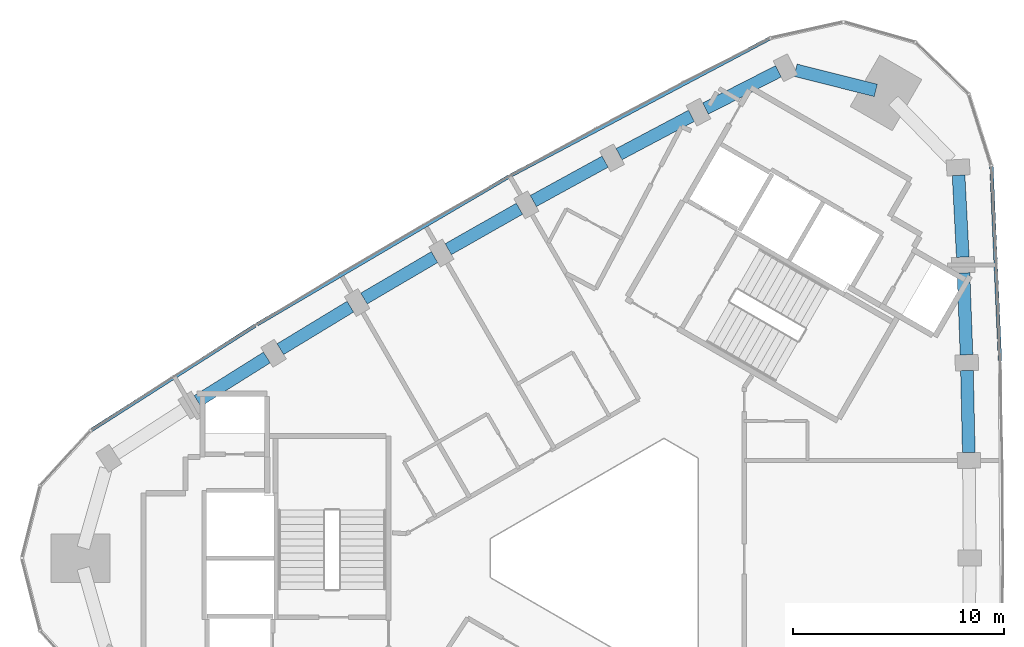
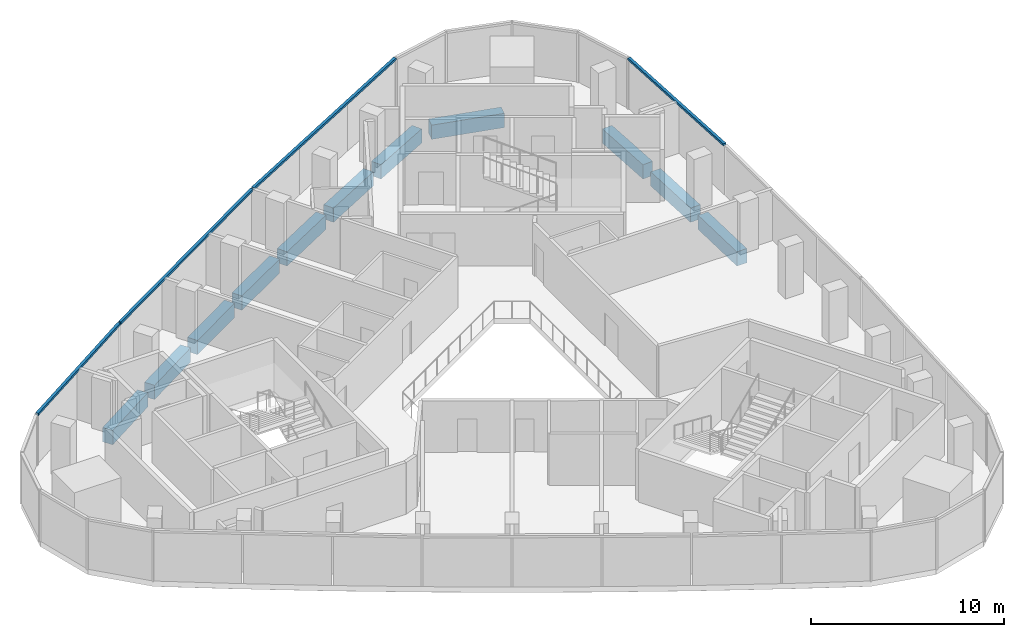
# One storey, part 4 of 11: 11 beams, 4 members, 2 elements without a shape of their own.
"""IFC4 building model written with IfcOpenShell, lengths in metres."""

from ifc_helpers import new_model, si_unit, direction, frame, origin, origin_2d, place, context, subcontext, project, spatial, rectangle, extrude, material, material_profile, profile_set, type_object, element, aggregate, save


model = new_model("IFC4")

# Units and contexts
model_context = context("Model", 3, precision=1e-05, world=origin(), true_north=direction((0.0, 1.0)))
body_context = subcontext(model_context, "Body", "Model", "MODEL_VIEW")
ifc_project = project(units=[si_unit("LENGTHUNIT", "METRE"), si_unit("AREAUNIT", "SQUARE_METRE"), si_unit("VOLUMEUNIT", "CUBIC_METRE"), si_unit("PLANEANGLEUNIT", "RADIAN"), si_unit("MASSUNIT", "GRAM", prefix="KILO")], contexts=[model_context])

# Site, building, storey
site_placement = place(None, origin())
site = spatial("IfcSite", under=ifc_project, at=site_placement, CompositionType="ELEMENT")
building_placement = place(site_placement, origin())
building = spatial("IfcBuilding", under=site, at=building_placement, Name="Tamra Quay Hotel Tower", CompositionType="ELEMENT")
storey_placement = place(building_placement, frame((0.0, 0.0, 225.0)))
storey = spatial("IfcBuildingStorey", under=building, at=storey_placement, Name="L56", CompositionType="ELEMENT", Elevation=225.0)

# Beams
ifc_material_1 = material(Name="Concrete M60", Category="concrete")
ifc_material_profile_1 = material_profile(ifc_material_1, rectangle(XDim=0.60009765625, YDim=0.89990234375, at=origin_2d()), Name="SPANDREL BEAM RC 600x900")
ifc_profile_set_1 = profile_set([ifc_material_profile_1], Name="Concrete M60")
beam_type = type_object("IfcBeamType", Name="SPANDREL BEAM RC 600x900", PredefinedType="SPANDREL", material=ifc_profile_set_1)
beam_1_placement = place(storey_placement, frame((16.626953125, 5.0, -0.800048828125), z_axis=(-0.022047440235, 0.999756925647, 0.0), x_axis=(-0.999756925647, -0.022047440235, 0.0)))
element("IfcBeam", 1, at=beam_1_placement, inside=storey, type_object=beam_type, Name="BM-SP5-005-L56", PredefinedType="SPANDREL", context=body_context, shape_type="SweptSolid", body=[
    extrude(rectangle(XDim=0.60009765625, YDim=0.89990234375, at=origin_2d()), origin(), (0.0, 0.0, 1.0), 3.875732421875),
])
beam_2_placement = place(storey_placement, frame((16.51953125, 9.62451171875, -0.800048828125), z_axis=(-0.036732019634, 0.999325151657, 0.0), x_axis=(-0.999325151657, -0.036732019634, 0.0)))
element("IfcBeam", 2, at=beam_2_placement, inside=storey, type_object=beam_type, Name="BM-SP5-006-L56", PredefinedType="SPANDREL", context=body_context, shape_type="SweptSolid", body=[
    extrude(rectangle(XDim=0.60009765625, YDim=0.89990234375, at=origin_2d()), origin(), (0.0, 0.0, 1.0), 3.875),
])
beam_3_placement = place(storey_placement, frame((16.343994140625, 14.24609375, -0.800048828125), z_axis=(-0.051404854824, 0.998677896471, 0.0), x_axis=(-0.998677896471, -0.051404854824, 0.0)))
element("IfcBeam", 3, at=beam_3_placement, inside=storey, type_object=beam_type, Name="BM-SP5-007-L56", PredefinedType="SPANDREL", context=body_context, shape_type="SweptSolid", body=[
    extrude(rectangle(XDim=0.60009765625, YDim=0.89990234375, at=origin_2d()), origin(), (0.0, 0.0, 1.0), 3.87548828125),
])
beam_4_placement = place(storey_placement, frame((12.225830078125, 22.136474609375, -0.800048828125), z_axis=(-0.969848171666, 0.243709917558, 0.0), x_axis=(-0.243709917558, -0.969848171666, 0.0)))
element("IfcBeam", 4, at=beam_4_placement, inside=storey, type_object=beam_type, Name="BM-SP5-009-L56", PredefinedType="SPANDREL", context=body_context, shape_type="SweptSolid", body=[
    extrude(rectangle(XDim=0.60009765625, YDim=0.89990234375, at=origin_2d()), origin(), (0.0, 0.0, 1.0), 3.912841796875),
])
beam_5_placement = place(storey_placement, frame((7.616943359375, 23.0400390625, -0.800048828125), z_axis=(-0.890602550436, -0.454782472349, 0.0), x_axis=(0.454782472349, -0.890602550436, 0.0)))
element("IfcBeam", 5, at=beam_5_placement, inside=storey, type_object=beam_type, Name="BM-SP5-010-L56", PredefinedType="SPANDREL", context=body_context, shape_type="SweptSolid", body=[
    extrude(rectangle(XDim=0.60009765625, YDim=0.89990234375, at=origin_2d()), origin(), (0.0, 0.0, 1.0), 3.87548828125),
])
beam_6_placement = place(storey_placement, frame((3.5, 20.931396484375, -0.800048828125), z_axis=(-0.883803240878, -0.467858772937, 0.0), x_axis=(0.467858772937, -0.883803240878, 0.0)))
element("IfcBeam", 6, at=beam_6_placement, inside=storey, type_object=beam_type, Name="BM-SP5-011-L56", PredefinedType="SPANDREL", context=body_context, shape_type="SweptSolid", body=[
    extrude(rectangle(XDim=0.60009765625, YDim=0.89990234375, at=origin_2d()), origin(), (0.0, 0.0, 1.0), 3.875),
])
beam_7_placement = place(storey_placement, frame((-0.585205078125, 18.7626953125, -0.800048828125), z_axis=(-0.876838966376, -0.480784179279, 0.0), x_axis=(0.480784179279, -0.876838966376, 0.0)))
element("IfcBeam", 7, at=beam_7_placement, inside=storey, type_object=beam_type, Name="BM-SP5-012-L56", PredefinedType="SPANDREL", context=body_context, shape_type="SweptSolid", body=[
    extrude(rectangle(XDim=0.60009765625, YDim=0.89990234375, at=origin_2d()), origin(), (0.0, 0.0, 1.0), 3.87548828125),
])
beam_8_placement = place(storey_placement, frame((-4.638427734375, 16.533935546875, -0.800048828125), z_axis=(-0.86967787455, -0.493619686113, 0.0), x_axis=(0.493619686113, -0.86967787455, 0.0)))
element("IfcBeam", 8, at=beam_8_placement, inside=storey, type_object=beam_type, Name="BM-SP5-013-L56", PredefinedType="SPANDREL", context=body_context, shape_type="SweptSolid", body=[
    extrude(rectangle(XDim=0.60009765625, YDim=0.89990234375, at=origin_2d()), origin(), (0.0, 0.0, 1.0), 3.875244140625),
])
beam_9_placement = place(storey_placement, frame((-8.658203125, 14.24609375, -0.800048828125), z_axis=(-0.862324287816, -0.506356418585, 0.0), x_axis=(0.506356418585, -0.862324287816, 0.0)))
element("IfcBeam", 9, at=beam_9_placement, inside=storey, type_object=beam_type, Name="BM-SP5-014-L56", PredefinedType="SPANDREL", context=body_context, shape_type="SweptSolid", body=[
    extrude(rectangle(XDim=0.60009765625, YDim=0.89990234375, at=origin_2d()), origin(), (0.0, 0.0, 1.0), 3.875),
])
beam_10_placement = place(storey_placement, frame((-12.6435546875, 11.8994140625, -0.800048828125), z_axis=(-0.854785519234, -0.518981421737, 0.0), x_axis=(0.518981421737, -0.854785519234, 0.0)))
element("IfcBeam", 10, at=beam_10_placement, inside=storey, type_object=beam_type, Name="BM-SP5-015-L56", PredefinedType="SPANDREL", context=body_context, shape_type="SweptSolid", body=[
    extrude(rectangle(XDim=0.60009765625, YDim=0.89990234375, at=origin_2d()), origin(), (0.0, 0.0, 1.0), 3.875732421875),
])
beam_11_placement = place(storey_placement, frame((-16.5947265625, 9.494140625, -0.800048828125), z_axis=(-0.847066119134, -0.53148752555, 0.0), x_axis=(0.53148752555, -0.847066119134, 0.0)))
element("IfcBeam", 11, at=beam_11_placement, inside=storey, type_object=beam_type, Name="BM-SP5-016-L56", PredefinedType="SPANDREL", context=body_context, shape_type="SweptSolid", body=[
    extrude(rectangle(XDim=0.60009765625, YDim=0.89990234375, at=origin_2d()), origin(), (0.0, 0.0, 1.0), 3.875),
])

# Curtain wall, member
ifc_material_2 = material(Name="Aluminium 6063 anodised dark grey", Category="aluminium")
curtain_wall_type_1 = type_object("IfcCurtainWallType", Name="CW1 CURTAIN WALL", PredefinedType="NOTDEFINED", material=ifc_material_2)
curtain_wall_1_placement = place(storey_placement, origin())
curtain_wall_1 = element("IfcCurtainWall", 12, at=curtain_wall_1_placement, inside=storey, type_object=curtain_wall_type_1, Name="CW1 east face L56", PredefinedType="NOTDEFINED")
ifc_material_profile_2 = material_profile(ifc_material_2, rectangle(XDim=0.169921875, YDim=0.139892578125, at=origin_2d()), Name="TRANSOM 170X140")
ifc_profile_set_2 = profile_set([ifc_material_profile_2], Name="Aluminium 6063 anodised dark grey")
member_type_1 = type_object("IfcMemberType", Name="TRANSOM CW1 Z5", PredefinedType="USERDEFINED", material=ifc_profile_set_2)
member_1_placement = place(storey_placement, frame((18.104736328125, 9.34521484375, 3.179931640625), z_axis=(-0.044067372044, 0.999028561514, 0.0), x_axis=(-0.999028561514, -0.044067372044, 0.0)))
member_1 = element("IfcMember", 13, at=member_1_placement, type_object=member_type_1, Name="CW1 transom L56.E.7", ObjectType="TRANSOM", PredefinedType="USERDEFINED", context=body_context, shape_type="SweptSolid", body=[
    extrude(rectangle(XDim=0.169921875, YDim=0.139892578125, at=origin_2d()), origin(), (0.0, 0.0, 1.0), 9.19677734375),
])
aggregate(curtain_wall_1, [member_1])

# Curtain wall, members
curtain_wall_type_2 = type_object("IfcCurtainWallType", Name="CW2 CURTAIN WALL", PredefinedType="NOTDEFINED", material=ifc_material_2)
curtain_wall_2_placement = place(storey_placement, origin())
curtain_wall_2 = element("IfcCurtainWall", 14, at=curtain_wall_2_placement, inside=storey, type_object=curtain_wall_type_2, Name="CW2 north-west face L56", PredefinedType="NOTDEFINED")
ifc_material_profile_3 = material_profile(ifc_material_2, rectangle(XDim=0.169921875, YDim=0.139892578125, at=origin_2d()), Name="TRANSOM 170X140")
ifc_profile_set_3 = profile_set([ifc_material_profile_3], Name="Aluminium 6063 anodised dark grey")
member_type_2 = type_object("IfcMemberType", Name="TRANSOM CW2 Z5", PredefinedType="USERDEFINED", material=ifc_profile_set_3)
member_2_placement = place(storey_placement, frame((7.2001953125, 24.5947265625, 3.179931640625), z_axis=(-0.883805932558, -0.467853688214, 0.0), x_axis=(0.467853688214, -0.883805932558, 0.0)))
member_2 = element("IfcMember", 15, at=member_2_placement, type_object=member_type_2, Name="CW2 transom L56.NW.1", ObjectType="TRANSOM", PredefinedType="USERDEFINED", context=body_context, shape_type="SweptSolid", body=[
    extrude(rectangle(XDim=0.169921875, YDim=0.139892578125, at=origin_2d()), origin(), (0.0, 0.0, 1.0), 13.84375),
])
member_3_placement = place(storey_placement, frame((-5.122314453125, 18.069091796875, 3.179931640625), z_axis=(-0.862327906366, -0.50635025615, 0.0), x_axis=(0.50635025615, -0.862327906366, 0.0)))
member_3 = element("IfcMember", 16, at=member_3_placement, type_object=member_type_2, Name="CW2 transom L56.NW.4", ObjectType="TRANSOM", PredefinedType="USERDEFINED", context=body_context, shape_type="SweptSolid", body=[
    extrude(rectangle(XDim=0.169921875, YDim=0.139892578125, at=origin_2d()), origin(), (0.0, 0.0, 1.0), 13.84423828125),
])
member_4_placement = place(storey_placement, frame((-17.1455078125, 11.006591796875, 3.179931640625), z_axis=(-0.843150628399, -0.537677429162, 0.0), x_axis=(0.537677429162, -0.843150628399, 0.0)))
member_4 = element("IfcMember", 17, at=member_4_placement, type_object=member_type_2, Name="CW2 transom L56.NW.7", ObjectType="TRANSOM", PredefinedType="USERDEFINED", context=body_context, shape_type="SweptSolid", body=[
    extrude(rectangle(XDim=0.169921875, YDim=0.139892578125, at=origin_2d()), origin(), (0.0, 0.0, 1.0), 9.196533203125),
])
aggregate(curtain_wall_2, [member_2, member_3, member_4])

save(model, "model.ifc")
